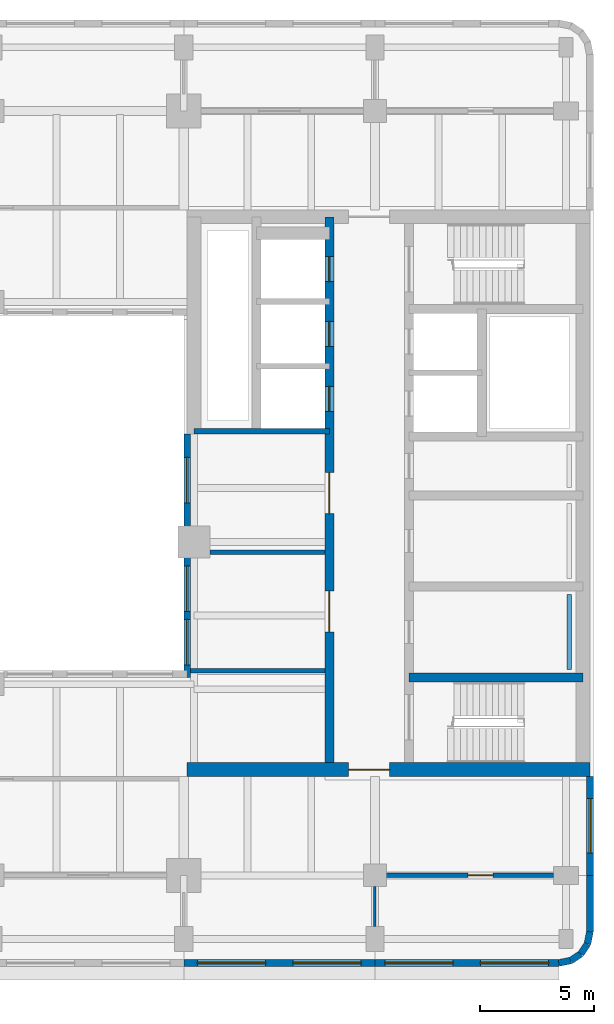
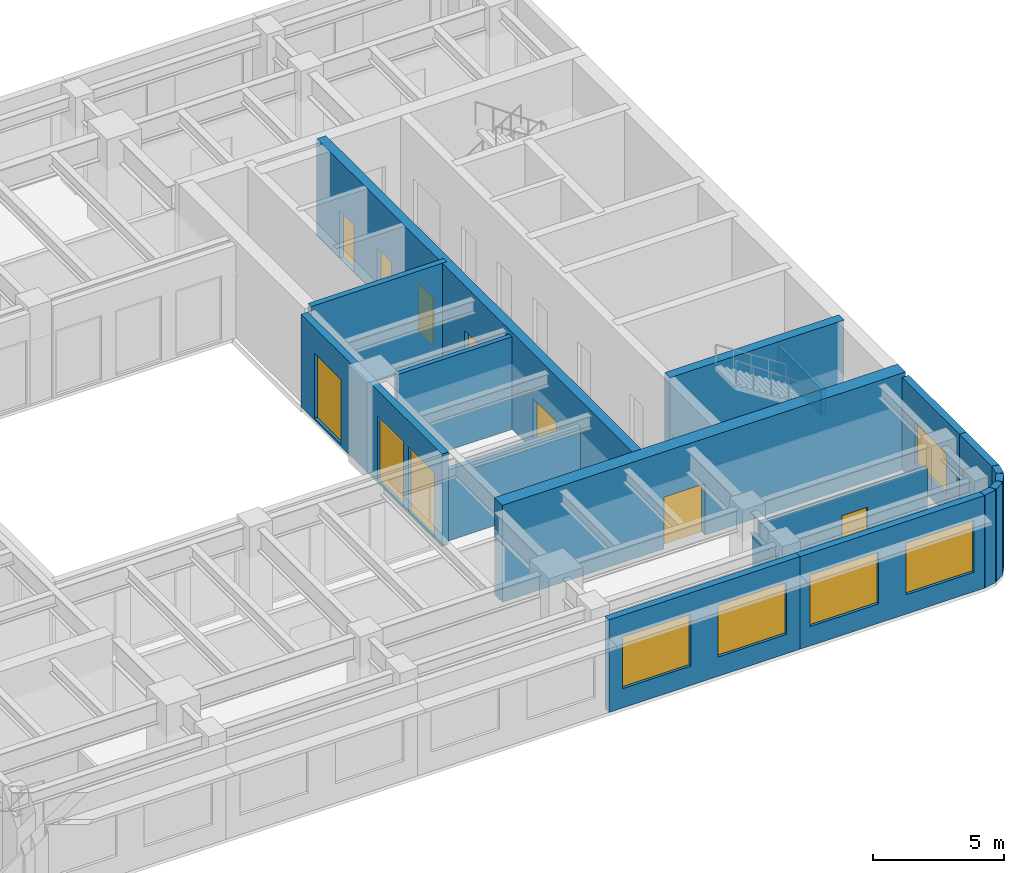
# One storey, part 5 of 13: 18 walls, 8 windows, 7 doors, 15 openings.
"""IFC4 building model written with IfcOpenShell, lengths in metres."""

from ifc_helpers import new_model, si_unit, direction, frame, frame_2d, origin, place, context, subcontext, project, spatial, rectangle, extrude, material, layer, layer_set, type_object, element, fill, save


model = new_model("IFC4")

# Units and contexts
model_context = context("Model", 3, precision=1e-05, world=origin(), true_north=direction((0.0, 1.0)))
body_context = subcontext(model_context, "Body", "Model", "MODEL_VIEW")
ifc_project = project(units=[si_unit("LENGTHUNIT", "METRE"), si_unit("AREAUNIT", "SQUARE_METRE"), si_unit("VOLUMEUNIT", "CUBIC_METRE"), si_unit("PLANEANGLEUNIT", "RADIAN"), si_unit("MASSUNIT", "GRAM", prefix="KILO")], contexts=[model_context])

# Site, building, storey
site_placement = place(None, origin())
site = spatial("IfcSite", under=ifc_project, at=site_placement, CompositionType="ELEMENT")
building_placement = place(site_placement, origin())
building = spatial("IfcBuilding", under=site, at=building_placement, Name="Claustro Exchange Tower", CompositionType="ELEMENT")
storey_placement = place(building_placement, frame((0.0, 0.0, 277.199951171875)))
storey = spatial("IfcBuildingStorey", under=building, at=storey_placement, Name="L63", CompositionType="ELEMENT", Elevation=277.199951171875)

# Walls
ifc_material_1 = material(Name="Laminated glass in aluminium frame", Category="aluminium")
ifc_layer_1 = layer(ifc_material_1, 0.1201171875)
ifc_layer_set_1 = layer_set([ifc_layer_1], Name="Laminated glass in aluminium frame")
wall_type_1 = type_object("IfcWallType", Name="P2 120 glazed partition", PredefinedType="PARTITIONING", material=ifc_layer_set_1)
wall_1_placement = place(storey_placement, frame((42.0, 6.14892578125, 0.0), z_axis=(0.0, 0.0, 1.0), x_axis=(0.0, 1.0, 0.0)))
element("IfcWall", 1, at=wall_1_placement, inside=storey, type_object=wall_type_1, Name="Partition P2 L63", PredefinedType="PARTITIONING", context=body_context, shape_type="SweptSolid", body=[
    extrude(rectangle(XDim=1.751953125, YDim=0.1201171875, at=frame_2d((0.8759765625, 0.0))), origin(), (0.0, 0.0, 1.0), 3.2919921875),
])
ifc_material_2 = material(Name="Twin-skin gypsum board on steel studs, mineral wool", Category="steel")
ifc_layer_2 = layer(ifc_material_2, 0.199951171875)
ifc_layer_set_2 = layer_set([ifc_layer_2], Name="Twin-skin gypsum board on steel studs, mineral wool")
wall_type_2 = type_object("IfcWallType", Name="P3 200 acoustic partition", PredefinedType="PARTITIONING", material=ifc_layer_set_2)
wall_2_placement = place(storey_placement, frame((33.89794921875, 17.39990234375, 0.0), z_axis=(0.0, 0.0, 1.0), x_axis=(1.0, 0.0, 0.0)))
element("IfcWall", 2, at=wall_2_placement, inside=storey, type_object=wall_type_2, Name="Partition P3 L63", PredefinedType="PARTITIONING", context=body_context, shape_type="SweptSolid", body=[
    extrude(rectangle(XDim=5.904052734375, YDim=0.199951171875, at=frame_2d((2.9521484375, 0.0))), origin(), (0.0, 0.0, 1.0), 3.2919921875),
])
wall_3_placement = place(storey_placement, frame((34.7490234375, 22.60009765625, 0.0), z_axis=(0.0, 0.0, 1.0), x_axis=(1.0, 0.0, 0.0)))
element("IfcWall", 3, at=wall_3_placement, inside=storey, type_object=wall_type_2, Name="Partition P3 L63", PredefinedType="PARTITIONING", context=body_context, shape_type="SweptSolid", body=[
    extrude(rectangle(XDim=5.052978515625, YDim=0.199951171875, at=frame_2d((2.5263671875, 0.0))), origin(), (0.0, 0.0, 1.0), 4.300048828125),
])

# Wall, opening, door
wall_4_placement = place(storey_placement, frame((42.4990234375, 8.39990234375, 0.0), z_axis=(0.0, 0.0, 1.0), x_axis=(1.0, 0.0, 0.0)))
wall_4 = element("IfcWall", 4, at=wall_4_placement, inside=storey, type_object=wall_type_2, Name="Partition P3 L63", PredefinedType="PARTITIONING", context=body_context, shape_type="SweptSolid", body=[
    extrude(rectangle(XDim=7.35205078125, YDim=0.199951171875, at=frame_2d((3.676025390625, 0.0))), origin(), (0.0, 0.0, 1.0), 3.2919921875),
])
opening_1_placement = place(wall_4_placement, frame((3.60107421875, 0.0, 0.0)))
opening_1 = element("IfcOpeningElement", 5, at=opening_1_placement, cuts=wall_4, Name="Opening D8", PredefinedType="OPENING", context=body_context, shape_type="SweptSolid", body=[
    extrude(rectangle(XDim=1.10009765625, YDim=2.39990234375, at=frame_2d((0.550048828125, 1.199951171875))), frame((0.0, 0.10986328125, 0.0), z_axis=(0.0, -1.0, 0.0), x_axis=(1.0, 0.0, 0.0)), (0.0, 0.0, 1.0), 0.219970703125),
])
ifc_material_3 = material(Name="Timber door, walnut veneer", Category="wood")
door_type_1 = type_object("IfcDoorType", Name="D8 1100 x 2400 executive door", OperationType="SINGLE_SWING_LEFT", PredefinedType="DOOR", material=ifc_material_3)
door_1_placement = place(opening_1_placement, frame((1.10009765625, 0.0, 0.0), z_axis=(0.0, 0.0, 1.0), x_axis=(-1.0, 0.0, 0.0)))
door_1 = element("IfcDoor", 6, at=door_1_placement, inside=storey, type_object=door_type_1, Name="Door D8 L63", OperationType="SINGLE_SWING_RIGHT", OverallHeight=2.39990234375, OverallWidth=1.10009765625, PredefinedType="DOOR", context=body_context, shape_type="SweptSolid", body=[
    extrude(rectangle(XDim=1.10009765625, YDim=2.39990234375, at=frame_2d((0.550048828125, 1.199951171875))), frame((0.0, 0.02490234375, 0.0), z_axis=(0.0, -1.0, 0.0), x_axis=(1.0, 0.0, 0.0)), (0.0, 0.0, 1.0), 0.050048828125),
])
fill(opening_1, door_1)

# Wall, openings, windows
ifc_material_4 = material(Name="Concrete HA-40 (C40/50), precast, white cement, acid-etched", Category="concrete")
ifc_layer_3 = layer(ifc_material_4, 0.300048828125)
ifc_layer_set_3 = layer_set([ifc_layer_3], Name="Concrete HA-40 (C40/50), precast, white cement, acid-etched")
wall_type_3 = type_object("IfcWallType", Name="PC1 300 precast concrete pier panel", PredefinedType="SOLIDWALL", material=ifc_layer_set_3)
wall_5_placement = place(storey_placement, frame((50.085205078125, 4.550048828125, 0.0), z_axis=(0.0, 0.0, 1.0), x_axis=(-1.0, 0.0, 0.0)))
wall_5 = element("IfcWall", 7, at=wall_5_placement, inside=storey, type_object=wall_type_3, Name="Precast pier panel PC1 L63", PredefinedType="SOLIDWALL", context=body_context, shape_type="SweptSolid", body=[
    extrude(rectangle(XDim=8.085205078125, YDim=0.300048828125, at=frame_2d((4.04248046875, 0.0))), origin(), (0.0, 0.0, 1.0), 4.300048828125),
])
opening_2_placement = place(wall_5_placement, frame((0.442626953125, 0.0, 0.89990234375)))
opening_2 = element("IfcOpeningElement", 8, at=opening_2_placement, cuts=wall_5, Name="Opening W3", PredefinedType="OPENING", context=body_context, shape_type="SweptSolid", body=[
    extrude(rectangle(XDim=3.0, YDim=2.39990234375, at=frame_2d((1.5, 1.199951171875))), frame((0.0, 0.159912109375, 0.0), z_axis=(0.0, -1.0, 0.0), x_axis=(1.0, 0.0, 0.0)), (0.0, 0.0, 1.0), 0.320068359375),
])
opening_3_placement = place(wall_5_placement, frame((4.642578125, 0.0, 0.89990234375)))
opening_3 = element("IfcOpeningElement", 9, at=opening_3_placement, cuts=wall_5, Name="Opening W3", PredefinedType="OPENING", context=body_context, shape_type="SweptSolid", body=[
    extrude(rectangle(XDim=3.0, YDim=2.39990234375, at=frame_2d((1.5, 1.199951171875))), frame((0.0, 0.159912109375, 0.0), z_axis=(0.0, -1.0, 0.0), x_axis=(1.0, 0.0, 0.0)), (0.0, 0.0, 1.0), 0.320068359375),
])
ifc_material_5 = material(Name="Aluminium frame, clear double glazing", Category="aluminium")
window_type_1 = type_object("IfcWindowType", Name="W3 3000 x 2400 window", PartitioningType="SINGLE_PANEL", PredefinedType="WINDOW", material=ifc_material_5)
window_1_placement = place(opening_2_placement, origin())
window_1 = element("IfcWindow", 10, at=window_1_placement, inside=storey, type_object=window_type_1, Name="Window W3 L63", OverallHeight=2.39990234375, OverallWidth=3.0, PartitioningType="SINGLE_PANEL", PredefinedType="WINDOW", context=body_context, shape_type="SweptSolid", body=[
    extrude(rectangle(XDim=3.0, YDim=2.39990234375, at=frame_2d((1.5, 1.199951171875))), frame((0.0, 0.030029296875, 0.0), z_axis=(0.0, -1.0, 0.0), x_axis=(1.0, 0.0, 0.0)), (0.0, 0.0, 1.0), 0.06005859375),
])
fill(opening_2, window_1)
window_2_placement = place(opening_3_placement, origin())
window_2 = element("IfcWindow", 11, at=window_2_placement, inside=storey, type_object=window_type_1, Name="Window W3 L63", OverallHeight=2.39990234375, OverallWidth=3.0, PartitioningType="SINGLE_PANEL", PredefinedType="WINDOW", context=body_context, shape_type="SweptSolid", body=[
    extrude(rectangle(XDim=3.0, YDim=2.39990234375, at=frame_2d((1.5, 1.199951171875))), frame((0.0, 0.030029296875, 0.0), z_axis=(0.0, -1.0, 0.0), x_axis=(1.0, 0.0, 0.0)), (0.0, 0.0, 1.0), 0.06005859375),
])
fill(opening_3, window_2)

wall_6_placement = place(storey_placement, frame((42.0, 4.550048828125, 0.0), z_axis=(0.0, 0.0, 1.0), x_axis=(-1.0, 0.0, 0.0)))
wall_6 = element("IfcWall", 12, at=wall_6_placement, inside=storey, type_object=wall_type_3, Name="Precast pier panel PC1 L63", PredefinedType="SOLIDWALL", context=body_context, shape_type="SweptSolid", body=[
    extrude(rectangle(XDim=8.39990234375, YDim=0.300048828125, at=frame_2d((4.199951171875, 0.0))), origin(), (0.0, 0.0, 1.0), 4.300048828125),
])
opening_4_placement = place(wall_6_placement, frame((0.60009765625, 0.0, 0.89990234375)))
opening_4 = element("IfcOpeningElement", 13, at=opening_4_placement, cuts=wall_6, Name="Opening W3", PredefinedType="OPENING", context=body_context, shape_type="SweptSolid", body=[
    extrude(rectangle(XDim=3.0, YDim=2.39990234375, at=frame_2d((1.5, 1.199951171875))), frame((0.0, 0.159912109375, 0.0), z_axis=(0.0, -1.0, 0.0), x_axis=(1.0, 0.0, 0.0)), (0.0, 0.0, 1.0), 0.320068359375),
])
opening_5_placement = place(wall_6_placement, frame((4.800048828125, 0.0, 0.89990234375)))
opening_5 = element("IfcOpeningElement", 14, at=opening_5_placement, cuts=wall_6, Name="Opening W3", PredefinedType="OPENING", context=body_context, shape_type="SweptSolid", body=[
    extrude(rectangle(XDim=3.0, YDim=2.39990234375, at=frame_2d((1.5, 1.199951171875))), frame((0.0, 0.159912109375, 0.0), z_axis=(0.0, -1.0, 0.0), x_axis=(1.0, 0.0, 0.0)), (0.0, 0.0, 1.0), 0.320068359375),
])
window_3_placement = place(opening_4_placement, origin())
window_3 = element("IfcWindow", 15, at=window_3_placement, inside=storey, type_object=window_type_1, Name="Window W3 L63", OverallHeight=2.39990234375, OverallWidth=3.0, PartitioningType="SINGLE_PANEL", PredefinedType="WINDOW", context=body_context, shape_type="SweptSolid", body=[
    extrude(rectangle(XDim=3.0, YDim=2.39990234375, at=frame_2d((1.5, 1.199951171875))), frame((0.0, 0.030029296875, 0.0), z_axis=(0.0, -1.0, 0.0), x_axis=(1.0, 0.0, 0.0)), (0.0, 0.0, 1.0), 0.06005859375),
])
fill(opening_4, window_3)
window_4_placement = place(opening_5_placement, origin())
window_4 = element("IfcWindow", 16, at=window_4_placement, inside=storey, type_object=window_type_1, Name="Window W3 L63", OverallHeight=2.39990234375, OverallWidth=3.0, PartitioningType="SINGLE_PANEL", PredefinedType="WINDOW", context=body_context, shape_type="SweptSolid", body=[
    extrude(rectangle(XDim=3.0, YDim=2.39990234375, at=frame_2d((1.5, 1.199951171875))), frame((0.0, 0.030029296875, 0.0), z_axis=(0.0, -1.0, 0.0), x_axis=(1.0, 0.0, 0.0)), (0.0, 0.0, 1.0), 0.06005859375),
])
fill(opening_5, window_4)

# Wall, opening, window
wall_7_placement = place(storey_placement, frame((51.449951171875, 12.75, 0.0), z_axis=(0.0, 0.0, 1.0), x_axis=(0.0, -1.0, 0.0)))
wall_7 = element("IfcWall", 17, at=wall_7_placement, inside=storey, type_object=wall_type_3, Name="Precast pier panel PC1 L63", PredefinedType="SOLIDWALL", context=body_context, shape_type="SweptSolid", body=[
    extrude(rectangle(XDim=4.35009765625, YDim=0.300048828125, at=frame_2d((2.175048828125, 0.0))), origin(), (0.0, 0.0, 1.0), 4.300048828125),
])
opening_6_placement = place(wall_7_placement, frame((0.97509765625, 0.0, 0.89990234375)))
opening_6 = element("IfcOpeningElement", 18, at=opening_6_placement, cuts=wall_7, Name="Opening W2", PredefinedType="OPENING", context=body_context, shape_type="SweptSolid", body=[
    extrude(rectangle(XDim=2.39990234375, YDim=1.89990234375, at=frame_2d((1.199951171875, 0.949951171875))), frame((0.0, 0.159912109375, 0.0), z_axis=(0.0, -1.0, 0.0), x_axis=(1.0, 0.0, 0.0)), (0.0, 0.0, 1.0), 0.320068359375),
])
ifc_material_6 = material(Name="Aluminium frame, clear double glazing", Category="aluminium")
window_type_2 = type_object("IfcWindowType", Name="W2 2400 x 1900 window", PartitioningType="SINGLE_PANEL", PredefinedType="WINDOW", material=ifc_material_6)
window_5_placement = place(opening_6_placement, origin())
window_5 = element("IfcWindow", 19, at=window_5_placement, inside=storey, type_object=window_type_2, Name="Window W2 L63", OverallHeight=1.89990234375, OverallWidth=2.39990234375, PartitioningType="SINGLE_PANEL", PredefinedType="WINDOW", context=body_context, shape_type="SweptSolid", body=[
    extrude(rectangle(XDim=2.39990234375, YDim=1.89990234375, at=frame_2d((1.199951171875, 0.949951171875))), frame((0.0, 0.030029296875, 0.0), z_axis=(0.0, -1.0, 0.0), x_axis=(1.0, 0.0, 0.0)), (0.0, 0.0, 1.0), 0.06005859375),
])
fill(opening_6, window_5)

# Walls
wall_8_placement = place(storey_placement, frame((51.449951171875, 8.39990234375, 0.0), z_axis=(0.0, 0.0, 1.0), x_axis=(0.0, -1.0, 0.0)))
element("IfcWall", 20, at=wall_8_placement, inside=storey, type_object=wall_type_3, Name="Precast pier panel PC1 L63", PredefinedType="SOLIDWALL", context=body_context, shape_type="SweptSolid", body=[
    extrude(rectangle(XDim=2.485107421875, YDim=0.300048828125, at=frame_2d((1.24267578125, 0.0))), origin(), (0.0, 0.0, 1.0), 4.300048828125),
])
wall_9_placement = place(storey_placement, frame((51.449951171875, 5.914794921875, 0.0), z_axis=(0.0, 0.0, 1.0), x_axis=(-0.195073962632, -0.980788534345, 0.0)))
element("IfcWall", 21, at=wall_9_placement, inside=storey, type_object=wall_type_3, Name="Precast pier panel PC1 L63", PredefinedType="SOLIDWALL", context=body_context, shape_type="SweptSolid", body=[
    extrude(rectangle(XDim=0.540771484375, YDim=0.300048828125, at=frame_2d((0.2705078125, 0.0))), origin(), (0.0, 0.0, 1.0), 4.300048828125),
])
for number, where, z_axis, x_axis, name in (
    (22, (51.344482421875, 5.384521484375, 0.0), (0.0, 0.0, 1.0), (-0.555557463938, -0.831478144188, 0.0), "Precast pier panel PC1 L63"),
    (23, (51.052490234375, 4.947509765625, 0.0), (0.0, 0.0, 1.0), (-0.831478144188, -0.555557463938, 0.0), "Precast pier panel PC1 L63"),
):
    element("IfcWall", number, at=place(storey_placement, frame(where, z_axis=z_axis, x_axis=x_axis)), inside=storey, type_object=wall_type_3, Name=name, PredefinedType="SOLIDWALL", context=body_context, shape_type="SweptSolid", body=[
        extrude(rectangle(XDim=0.525634765625, YDim=0.300048828125, at=frame_2d((0.2626953125, 0.0))), origin(), (0.0, 0.0, 1.0), 4.300048828125),
    ])
wall_10_placement = place(storey_placement, frame((50.615478515625, 4.655517578125, 0.0), z_axis=(0.0, 0.0, 1.0), x_axis=(-0.980788534345, -0.195073962632, 0.0)))
element("IfcWall", 24, at=wall_10_placement, inside=storey, type_object=wall_type_3, Name="Precast pier panel PC1 L63", PredefinedType="SOLIDWALL", context=body_context, shape_type="SweptSolid", body=[
    extrude(rectangle(XDim=0.540771484375, YDim=0.300048828125, at=frame_2d((0.2705078125, 0.0))), origin(), (0.0, 0.0, 1.0), 4.300048828125),
])

# Wall, openings, windows
wall_11_placement = place(storey_placement, frame((33.75, 17.10009765625, 0.0), z_axis=(0.0, 0.0, 1.0), x_axis=(0.0, 1.0, 0.0)))
wall_11 = element("IfcWall", 25, at=wall_11_placement, inside=storey, type_object=wall_type_3, Name="Precast pier panel PC1 L63", PredefinedType="SOLIDWALL", context=body_context, shape_type="SweptSolid", body=[
    extrude(rectangle(XDim=10.699951171875, YDim=0.300048828125, at=frame_2d((5.35009765625, 0.0))), origin(), (0.0, 0.0, 1.0), 4.300048828125),
])
opening_7_placement = place(wall_11_placement, frame((0.550048828125, 0.0, 0.10009765625)))
opening_7 = element("IfcOpeningElement", 26, at=opening_7_placement, cuts=wall_11, Name="Opening W-A", PredefinedType="OPENING", context=body_context, shape_type="SweptSolid", body=[
    extrude(rectangle(XDim=2.0, YDim=3.0, at=frame_2d((1.0, 1.5))), frame((0.0, 0.159912109375, 0.0), z_axis=(0.0, -1.0, 0.0), x_axis=(1.0, 0.0, 0.0)), (0.0, 0.0, 1.0), 0.320068359375),
])
opening_8_placement = place(wall_11_placement, frame((2.89990234375, 0.0, 0.10009765625)))
opening_8 = element("IfcOpeningElement", 27, at=opening_8_placement, cuts=wall_11, Name="Opening W-A", PredefinedType="OPENING", context=body_context, shape_type="SweptSolid", body=[
    extrude(rectangle(XDim=2.0, YDim=3.0, at=frame_2d((1.0, 1.5))), frame((0.0, 0.159912109375, 0.0), z_axis=(0.0, -1.0, 0.0), x_axis=(1.0, 0.0, 0.0)), (0.0, 0.0, 1.0), 0.320068359375),
])
opening_9_placement = place(wall_11_placement, frame((7.675048828125, 0.0, 0.10009765625)))
opening_9 = element("IfcOpeningElement", 28, at=opening_9_placement, cuts=wall_11, Name="Opening W-A", PredefinedType="OPENING", context=body_context, shape_type="SweptSolid", body=[
    extrude(rectangle(XDim=2.0, YDim=3.0, at=frame_2d((1.0, 1.5))), frame((0.0, 0.159912109375, 0.0), z_axis=(0.0, -1.0, 0.0), x_axis=(1.0, 0.0, 0.0)), (0.0, 0.0, 1.0), 0.320068359375),
])
ifc_material_7 = material(Name="Aluminium frame, clear double glazing", Category="aluminium")
window_type_3 = type_object("IfcWindowType", Name="W-A 2000 x 3000 arcade window", PartitioningType="SINGLE_PANEL", PredefinedType="WINDOW", material=ifc_material_7)
window_6_placement = place(opening_7_placement, origin())
window_6 = element("IfcWindow", 29, at=window_6_placement, inside=storey, type_object=window_type_3, Name="Window W-A L63", OverallHeight=3.0, OverallWidth=2.0, PartitioningType="SINGLE_PANEL", PredefinedType="WINDOW", context=body_context, shape_type="SweptSolid", body=[
    extrude(rectangle(XDim=2.0, YDim=3.0, at=frame_2d((1.0, 1.5))), frame((0.0, 0.030029296875, 0.0), z_axis=(0.0, -1.0, 0.0), x_axis=(1.0, 0.0, 0.0)), (0.0, 0.0, 1.0), 0.06005859375),
])
fill(opening_7, window_6)
window_7_placement = place(opening_8_placement, origin())
window_7 = element("IfcWindow", 30, at=window_7_placement, inside=storey, type_object=window_type_3, Name="Window W-A L63", OverallHeight=3.0, OverallWidth=2.0, PartitioningType="SINGLE_PANEL", PredefinedType="WINDOW", context=body_context, shape_type="SweptSolid", body=[
    extrude(rectangle(XDim=2.0, YDim=3.0, at=frame_2d((1.0, 1.5))), frame((0.0, 0.030029296875, 0.0), z_axis=(0.0, -1.0, 0.0), x_axis=(1.0, 0.0, 0.0)), (0.0, 0.0, 1.0), 0.06005859375),
])
fill(opening_8, window_7)
window_8_placement = place(opening_9_placement, origin())
window_8 = element("IfcWindow", 31, at=window_8_placement, inside=storey, type_object=window_type_3, Name="Window W-A L63", OverallHeight=3.0, OverallWidth=2.0, PartitioningType="SINGLE_PANEL", PredefinedType="WINDOW", context=body_context, shape_type="SweptSolid", body=[
    extrude(rectangle(XDim=2.0, YDim=3.0, at=frame_2d((1.0, 1.5))), frame((0.0, 0.030029296875, 0.0), z_axis=(0.0, -1.0, 0.0), x_axis=(1.0, 0.0, 0.0)), (0.0, 0.0, 1.0), 0.06005859375),
])
fill(opening_9, window_8)

# Wall
ifc_material_8 = material(Name="Gypsum board on steel studs, tiled", Category="steel")
ifc_layer_4 = layer(ifc_material_8, 0.199951171875)
ifc_layer_set_4 = layer_set([ifc_layer_4], Name="Gypsum board on steel studs, tiled")
wall_type_4 = type_object("IfcWallType", Name="PW1 200 WC duct wall", PredefinedType="PLUMBINGWALL", material=ifc_layer_set_4)
wall_12_placement = place(storey_placement, frame((50.550048828125, 17.449951171875, 0.0), z_axis=(0.0, 0.0, 1.0), x_axis=(0.0, 1.0, 0.0)))
element("IfcWall", 32, at=wall_12_placement, inside=storey, type_object=wall_type_4, Name="WC duct wall PW1 L63", PredefinedType="PLUMBINGWALL", context=body_context, shape_type="SweptSolid", body=[
    extrude(rectangle(XDim=3.300048828125, YDim=0.199951171875, at=frame_2d((1.64990234375, 0.0))), origin(), (0.0, 0.0, 1.0), 1.199951171875),
])

# Wall, opening, door
ifc_material_9 = material(Name="Concrete HA-50 (C50/60)", Category="concrete")
ifc_layer_5 = layer(ifc_material_9, 0.60009765625)
ifc_layer_set_5 = layer_set([ifc_layer_5], Name="Concrete HA-50 (C50/60)")
wall_type_5 = type_object("IfcWallType", Name="SW3 600 core shear wall", PredefinedType="SHEAR", material=ifc_layer_set_5)
wall_13_placement = place(storey_placement, frame((33.75, 13.050048828125, 0.0), z_axis=(0.0, 0.0, 1.0), x_axis=(1.0, 0.0, 0.0)))
wall_13 = element("IfcWall", 33, at=wall_13_placement, inside=storey, type_object=wall_type_5, Name="Core wall SW3 E core S face L63", PredefinedType="SHEAR", context=body_context, shape_type="SweptSolid", body=[
    extrude(rectangle(XDim=17.699951171875, YDim=0.60009765625, at=frame_2d((8.85009765625, 0.0))), origin(), (0.0, 0.0, 1.0), 4.5),
])
opening_10_placement = place(wall_13_placement, frame((7.10009765625, 0.0, 0.0)))
opening_10 = element("IfcOpeningElement", 34, at=opening_10_placement, cuts=wall_13, Name="Opening D3", PredefinedType="OPENING", context=body_context, shape_type="SweptSolid", body=[
    extrude(rectangle(XDim=1.800048828125, YDim=2.39990234375, at=frame_2d((0.89990234375, 1.199951171875))), frame((0.0, 0.31005859375, 0.0), z_axis=(0.0, -1.0, 0.0), x_axis=(1.0, 0.0, 0.0)), (0.0, 0.0, 1.0), 0.6201171875),
])
ifc_material_10 = material(Name="Steel fire door, painted", Category="steel")
door_type_2 = type_object("IfcDoorType", Name="D3 1800 x 2400 fire-rated lobby double door", OperationType="DOUBLE_DOOR_SINGLE_SWING", PredefinedType="DOOR", material=ifc_material_10)
door_2_placement = place(opening_10_placement, origin())
door_2 = element("IfcDoor", 35, at=door_2_placement, inside=storey, type_object=door_type_2, Name="Lift lobby door D3 L63", OperationType="DOUBLE_DOOR_SINGLE_SWING", OverallHeight=2.39990234375, OverallWidth=1.800048828125, PredefinedType="DOOR", context=body_context, shape_type="SweptSolid", body=[
    extrude(rectangle(XDim=1.800048828125, YDim=2.39990234375, at=frame_2d((0.89990234375, 1.199951171875))), frame((0.0, 0.02490234375, 0.0), z_axis=(0.0, -1.0, 0.0), x_axis=(1.0, 0.0, 0.0)), (0.0, 0.0, 1.0), 0.050048828125),
])
fill(opening_10, door_2)

# Wall, openings, doors
ifc_material_11 = material(Name="Concrete HA-50 (C50/60)", Category="concrete")
ifc_layer_6 = layer(ifc_material_11, 0.39990234375)
ifc_layer_set_6 = layer_set([ifc_layer_6], Name="Concrete HA-50 (C50/60)")
wall_type_6 = type_object("IfcWallType", Name="SW4 400 internal core wall", PredefinedType="SHEAR", material=ifc_layer_set_6)
wall_14_placement = place(storey_placement, frame((40.0, 13.050048828125, 0.0), z_axis=(0.0, 0.0, 1.0), x_axis=(0.0, 1.0, 0.0)))
wall_14 = element("IfcWall", 36, at=wall_14_placement, inside=storey, type_object=wall_type_6, Name="Internal core wall SW4 E core L63", PredefinedType="SHEAR", context=body_context, shape_type="SweptSolid", body=[
    extrude(rectangle(XDim=24.300048828125, YDim=0.39990234375, at=frame_2d((12.14990234375, 0.0))), origin(), (0.0, 0.0, 1.0), 4.5),
])
opening_11_placement = place(wall_14_placement, frame((15.75, 0.0, 0.0)))
opening_11 = element("IfcOpeningElement", 37, at=opening_11_placement, cuts=wall_14, Name="Opening LD", PredefinedType="OPENING", context=body_context, shape_type="SweptSolid", body=[
    extrude(rectangle(XDim=1.10009765625, YDim=2.199951171875, at=frame_2d((0.550048828125, 1.10009765625))), frame((0.0, 0.2099609375, 0.0), z_axis=(0.0, -1.0, 0.0), x_axis=(1.0, 0.0, 0.0)), (0.0, 0.0, 1.0), 0.419921875),
])
opening_12_placement = place(wall_14_placement, frame((18.60009765625, 0.0, 0.0)))
opening_12 = element("IfcOpeningElement", 38, at=opening_12_placement, cuts=wall_14, Name="Opening LD", PredefinedType="OPENING", context=body_context, shape_type="SweptSolid", body=[
    extrude(rectangle(XDim=1.10009765625, YDim=2.199951171875, at=frame_2d((0.550048828125, 1.10009765625))), frame((0.0, 0.2099609375, 0.0), z_axis=(0.0, -1.0, 0.0), x_axis=(1.0, 0.0, 0.0)), (0.0, 0.0, 1.0), 0.419921875),
])
opening_13_placement = place(wall_14_placement, frame((21.449951171875, 0.0, 0.0)))
opening_13 = element("IfcOpeningElement", 39, at=opening_13_placement, cuts=wall_14, Name="Opening LD", PredefinedType="OPENING", context=body_context, shape_type="SweptSolid", body=[
    extrude(rectangle(XDim=1.10009765625, YDim=2.199951171875, at=frame_2d((0.550048828125, 1.10009765625))), frame((0.0, 0.2099609375, 0.0), z_axis=(0.0, -1.0, 0.0), x_axis=(1.0, 0.0, 0.0)), (0.0, 0.0, 1.0), 0.419921875),
])
opening_14_placement = place(wall_14_placement, frame((6.050048828125, 0.0, 0.0)))
opening_14 = element("IfcOpeningElement", 40, at=opening_14_placement, cuts=wall_14, Name="Opening D3", PredefinedType="OPENING", context=body_context, shape_type="SweptSolid", body=[
    extrude(rectangle(XDim=1.800048828125, YDim=2.39990234375, at=frame_2d((0.89990234375, 1.199951171875))), frame((0.0, 0.2099609375, 0.0), z_axis=(0.0, -1.0, 0.0), x_axis=(1.0, 0.0, 0.0)), (0.0, 0.0, 1.0), 0.419921875),
])
opening_15_placement = place(wall_14_placement, frame((11.25, 0.0, 0.0)))
opening_15 = element("IfcOpeningElement", 41, at=opening_15_placement, cuts=wall_14, Name="Opening D3", PredefinedType="OPENING", context=body_context, shape_type="SweptSolid", body=[
    extrude(rectangle(XDim=1.800048828125, YDim=2.39990234375, at=frame_2d((0.89990234375, 1.199951171875))), frame((0.0, 0.2099609375, 0.0), z_axis=(0.0, -1.0, 0.0), x_axis=(1.0, 0.0, 0.0)), (0.0, 0.0, 1.0), 0.419921875),
])
door_3_placement = place(opening_14_placement, origin())
door_3 = element("IfcDoor", 42, at=door_3_placement, inside=storey, type_object=door_type_2, Name="Core zone door D3 L63", OperationType="DOUBLE_DOOR_SINGLE_SWING", OverallHeight=2.39990234375, OverallWidth=1.800048828125, PredefinedType="DOOR", context=body_context, shape_type="SweptSolid", body=[
    extrude(rectangle(XDim=1.800048828125, YDim=2.39990234375, at=frame_2d((0.89990234375, 1.199951171875))), frame((0.0, 0.02490234375, 0.0), z_axis=(0.0, -1.0, 0.0), x_axis=(1.0, 0.0, 0.0)), (0.0, 0.0, 1.0), 0.050048828125),
])
fill(opening_14, door_3)
door_4_placement = place(opening_15_placement, origin())
door_4 = element("IfcDoor", 43, at=door_4_placement, inside=storey, type_object=door_type_2, Name="Core zone door D3 L63", OperationType="DOUBLE_DOOR_SINGLE_SWING", OverallHeight=2.39990234375, OverallWidth=1.800048828125, PredefinedType="DOOR", context=body_context, shape_type="SweptSolid", body=[
    extrude(rectangle(XDim=1.800048828125, YDim=2.39990234375, at=frame_2d((0.89990234375, 1.199951171875))), frame((0.0, 0.02490234375, 0.0), z_axis=(0.0, -1.0, 0.0), x_axis=(1.0, 0.0, 0.0)), (0.0, 0.0, 1.0), 0.050048828125),
])
fill(opening_15, door_4)
ifc_material_12 = material(Name="Stainless steel sliding door", Category="steel")
door_type_3 = type_object("IfcDoorType", Name="LD 1100 x 2200 lift landing door", OperationType="DOUBLE_DOOR_SLIDING", PredefinedType="DOOR", material=ifc_material_12)
door_5_placement = place(opening_11_placement, origin())
door_5 = element("IfcDoor", 44, at=door_5_placement, inside=storey, type_object=door_type_3, Name="Lift landing door LHE1 LD L63", OperationType="DOUBLE_DOOR_SLIDING", OverallHeight=2.199951171875, OverallWidth=1.10009765625, PredefinedType="DOOR", context=body_context, shape_type="SweptSolid", body=[
    extrude(rectangle(XDim=1.10009765625, YDim=2.199951171875, at=frame_2d((0.550048828125, 1.10009765625))), frame((0.0, 0.02490234375, 0.0), z_axis=(0.0, -1.0, 0.0), x_axis=(1.0, 0.0, 0.0)), (0.0, 0.0, 1.0), 0.050048828125),
])
fill(opening_11, door_5)
door_6_placement = place(opening_12_placement, origin())
door_6 = element("IfcDoor", 45, at=door_6_placement, inside=storey, type_object=door_type_3, Name="Lift landing door LHE2 LD L63", OperationType="DOUBLE_DOOR_SLIDING", OverallHeight=2.199951171875, OverallWidth=1.10009765625, PredefinedType="DOOR", context=body_context, shape_type="SweptSolid", body=[
    extrude(rectangle(XDim=1.10009765625, YDim=2.199951171875, at=frame_2d((0.550048828125, 1.10009765625))), frame((0.0, 0.02490234375, 0.0), z_axis=(0.0, -1.0, 0.0), x_axis=(1.0, 0.0, 0.0)), (0.0, 0.0, 1.0), 0.050048828125),
])
fill(opening_12, door_6)
door_7_placement = place(opening_13_placement, origin())
door_7 = element("IfcDoor", 46, at=door_7_placement, inside=storey, type_object=door_type_3, Name="Lift landing door LSE1 LD L63", OperationType="DOUBLE_DOOR_SLIDING", OverallHeight=2.199951171875, OverallWidth=1.10009765625, PredefinedType="DOOR", context=body_context, shape_type="SweptSolid", body=[
    extrude(rectangle(XDim=1.10009765625, YDim=2.199951171875, at=frame_2d((0.550048828125, 1.10009765625))), frame((0.0, 0.02490234375, 0.0), z_axis=(0.0, -1.0, 0.0), x_axis=(1.0, 0.0, 0.0)), (0.0, 0.0, 1.0), 0.050048828125),
])
fill(opening_13, door_7)

# Walls
wall_15_placement = place(storey_placement, frame((51.14990234375, 17.10009765625, 0.0), z_axis=(0.0, 0.0, 1.0), x_axis=(-1.0, 0.0, 0.0)))
element("IfcWall", 47, at=wall_15_placement, inside=storey, type_object=wall_type_6, Name="Internal core wall SW4 E core L63", PredefinedType="SHEAR", context=body_context, shape_type="SweptSolid", body=[
    extrude(rectangle(XDim=7.64990234375, YDim=0.39990234375, at=frame_2d((3.824951171875, 0.0))), origin(), (0.0, 0.0, 1.0), 4.5),
])
ifc_material_13 = material(Name="Concrete HA-50 (C50/60)", Category="concrete")
ifc_layer_7 = layer(ifc_material_13, 0.25)
ifc_layer_set_7 = layer_set([ifc_layer_7], Name="Concrete HA-50 (C50/60)")
wall_type_7 = type_object("IfcWallType", Name="SW5 250 lift shaft divider wall", PredefinedType="SHEAR", material=ifc_layer_set_7)
wall_16_placement = place(storey_placement, frame((40.0, 27.925048828125, 0.0), z_axis=(0.0, 0.0, 1.0), x_axis=(-1.0, 0.0, 0.0)))
element("IfcWall", 48, at=wall_16_placement, inside=storey, type_object=wall_type_7, Name="Core step wall E core L63", PredefinedType="SHEAR", context=body_context, shape_type="SweptSolid", body=[
    extrude(rectangle(XDim=5.949951171875, YDim=0.25, at=frame_2d((2.97509765625, 0.0))), origin(), (0.0, 0.0, 1.0), 4.5),
])

save(model, "model.ifc")
